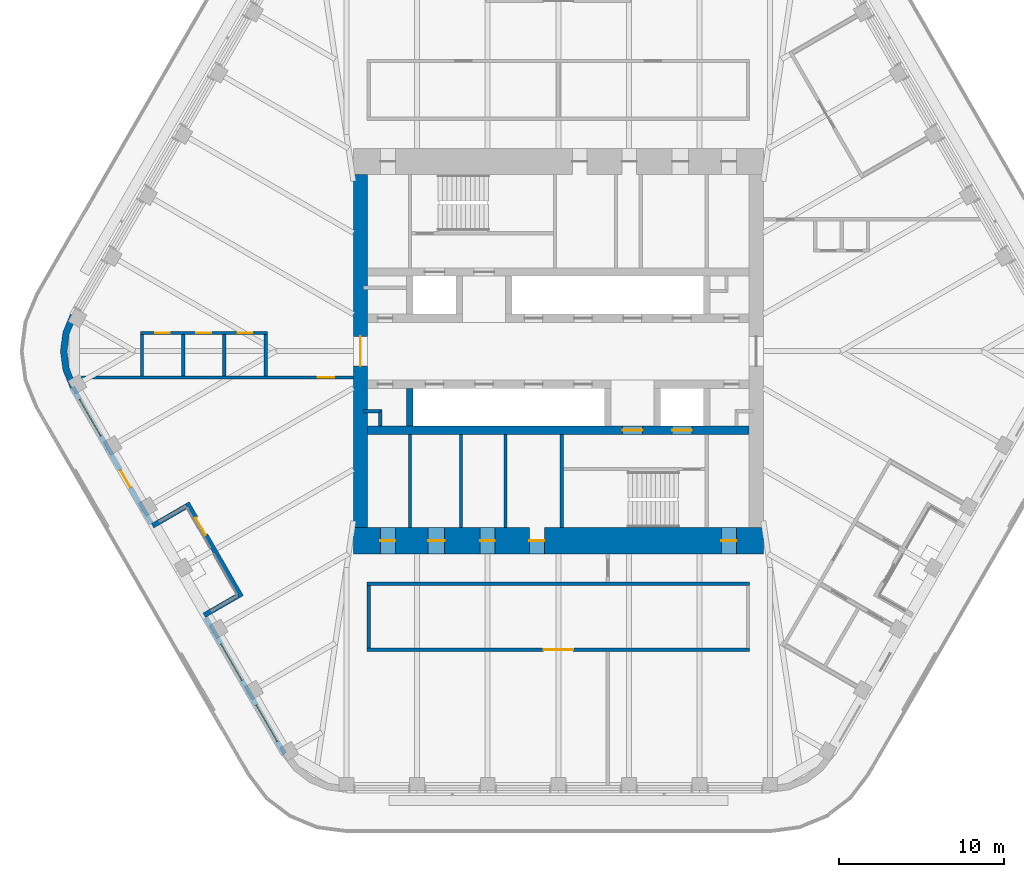
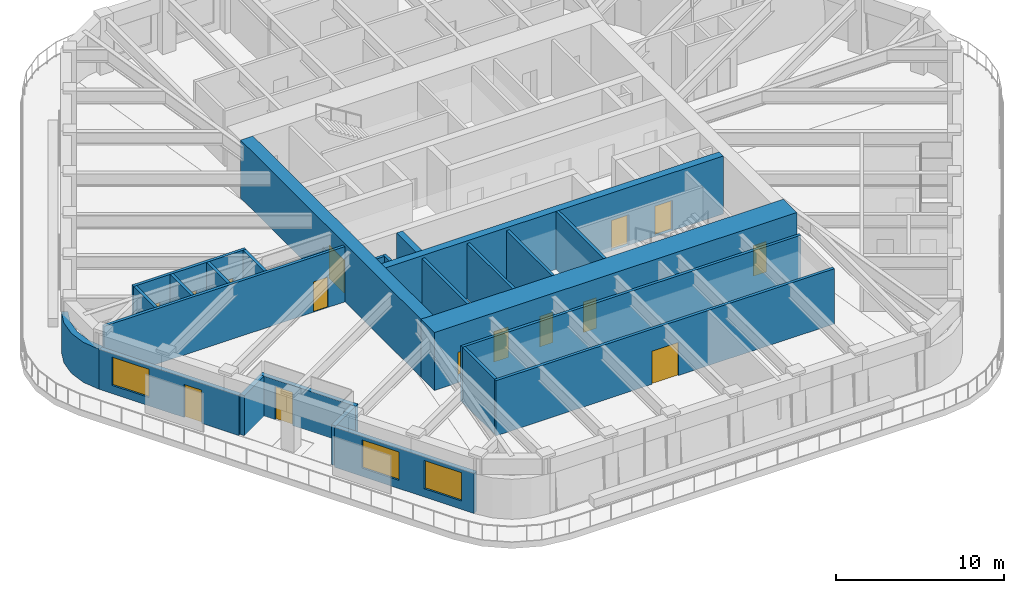
# One storey, part 13 of 19: 25 walls, 15 doors, 3 windows, 18 openings.
"""IFC4 building model written with IfcOpenShell, lengths in metres."""

from ifc_helpers import new_model, si_unit, direction, frame, frame_2d, origin, place, context, subcontext, project, spatial, polyline, rectangle, outline, extrude, material, layer, layer_set, type_object, element, fill, save


model = new_model("IFC4")

# Units and contexts
model_context = context("Model", 3, precision=1e-05, world=origin(), true_north=direction((0.0, 1.0)))
body_context = subcontext(model_context, "Body", "Model", "MODEL_VIEW")
ifc_project = project(units=[si_unit("LENGTHUNIT", "METRE"), si_unit("AREAUNIT", "SQUARE_METRE"), si_unit("VOLUMEUNIT", "CUBIC_METRE"), si_unit("PLANEANGLEUNIT", "RADIAN"), si_unit("MASSUNIT", "GRAM", prefix="KILO")], contexts=[model_context])

# Site, building, storey
site_placement = place(None, origin())
site = spatial("IfcSite", under=ifc_project, at=site_placement, CompositionType="ELEMENT")
building_placement = place(site_placement, origin())
building = spatial("IfcBuilding", under=site, at=building_placement, Name="Tarfa Lantern Tower", CompositionType="ELEMENT")
storey_placement = place(building_placement, frame((0.0, 0.0, 357.699951171875)))
storey = spatial("IfcBuildingStorey", under=building, at=storey_placement, Name="L81", CompositionType="ELEMENT", Elevation=357.699951171875)

# Wall, openings, door, window
ifc_material_1 = material(Name="Limestone cladding on blockwork", Category="masonry")
ifc_layer_1 = layer(ifc_material_1, 0.300048828125)
ifc_layer_set_1 = layer_set([ifc_layer_1], Name="EW1 STONE-CLAD WALL 300")
wall_type_1 = type_object("IfcWallType", Name="EW1 STONE-CLAD WALL 300", PredefinedType="SOLIDWALL", material=ifc_layer_set_1)
wall_1_placement = place(storey_placement, frame((-29.459228515625, -2.175048828125, 0.0), z_axis=(0.0, 0.0, 1.0), x_axis=(0.499996453679, -0.866027451244, 0.0)))
wall_1 = element("IfcWall", 1, at=wall_1_placement, inside=storey, type_object=wall_type_1, Name="Stone wall SW", PredefinedType="SOLIDWALL", context=body_context, shape_type="SweptSolid", body=[
    extrude(rectangle(XDim=9.56396484375, YDim=0.300048828125, at=frame_2d((4.781982421875, 0.0))), origin(), (0.0, 0.0, 1.0), 2.900146484375),
])
opening_1_placement = place(wall_1_placement, frame((0.865966796875, 0.0, 0.60009765625)))
opening_1 = element("IfcOpeningElement", 2, at=opening_1_placement, cuts=wall_1, Name="Opening W17", PredefinedType="OPENING", context=body_context, shape_type="SweptSolid", body=[
    extrude(rectangle(XDim=2.550048828125, YDim=2.050048828125, at=frame_2d((1.27490234375, 1.02490234375))), frame((0.0, 0.159912109375, 0.0), z_axis=(0.0, -1.0, 0.0), x_axis=(1.0, 0.0, 0.0)), (0.0, 0.0, 1.0), 0.320068359375),
])
opening_2_placement = place(wall_1_placement, frame((5.822998046875, 0.0, 0.0)))
opening_2 = element("IfcOpeningElement", 3, at=opening_2_placement, cuts=wall_1, Name="Opening D42", PredefinedType="OPENING", context=body_context, shape_type="SweptSolid", body=[
    extrude(rectangle(XDim=1.199951171875, YDim=2.39990234375, at=frame_2d((0.60009765625, 1.199951171875))), frame((0.0, 0.159912109375, 0.0), z_axis=(0.0, -1.0, 0.0), x_axis=(1.0, 0.0, 0.0)), (0.0, 0.0, 1.0), 0.320068359375),
])
ifc_material_2 = material(Name="Aluminium framed glazed door", Category="aluminium")
door_type_1 = type_object("IfcDoorType", Name="BE3 BALCONY DOOR 1200x2400", OperationType="SINGLE_SWING_RIGHT", PredefinedType="DOOR", material=ifc_material_2)
door_1_placement = place(opening_2_placement, origin())
door_1 = element("IfcDoor", 4, at=door_1_placement, inside=storey, type_object=door_type_1, Name="Balcony door SW", OperationType="SINGLE_SWING_LEFT", OverallHeight=2.39990234375, OverallWidth=1.199951171875, PredefinedType="DOOR", context=body_context, shape_type="SweptSolid", body=[
    extrude(rectangle(XDim=1.199951171875, YDim=2.39990234375, at=frame_2d((0.60009765625, 1.199951171875))), frame((0.0, 0.02490234375, 0.0), z_axis=(0.0, -1.0, 0.0), x_axis=(1.0, 0.0, 0.0)), (0.0, 0.0, 1.0), 0.050048828125),
])
fill(opening_2, door_1)
ifc_material_3 = material(Name="Aluminium frame, double glazed", Category="aluminium")
window_type = type_object("IfcWindowType", Name="W17 FULL-HEIGHT GLAZING 2550x2050", PartitioningType="SINGLE_PANEL", PredefinedType="WINDOW", material=ifc_material_3)
window_1_placement = place(opening_1_placement, origin())
window_1 = element("IfcWindow", 5, at=window_1_placement, inside=storey, type_object=window_type, Name="Window SW 1", OverallHeight=2.050048828125, OverallWidth=2.550048828125, PartitioningType="SINGLE_PANEL", PredefinedType="WINDOW", context=body_context, shape_type="SweptSolid", body=[
    extrude(rectangle(XDim=2.550048828125, YDim=2.050048828125, at=frame_2d((1.27490234375, 1.02490234375))), frame((0.0, 0.030029296875, 0.0), z_axis=(0.0, -1.0, 0.0), x_axis=(1.0, 0.0, 0.0)), (0.0, 0.0, 1.0), 0.06005859375),
])
fill(opening_1, window_1)

# Wall, openings, windows
wall_2_placement = place(storey_placement, frame((-21.395263671875, -16.142333984375, 0.0), z_axis=(0.0, 0.0, 1.0), x_axis=(0.499996453679, -0.866027451244, 0.0)))
wall_2 = element("IfcWall", 6, at=wall_2_placement, inside=storey, type_object=wall_type_1, Name="Stone wall SWB", PredefinedType="SOLIDWALL", context=body_context, shape_type="SweptSolid", body=[
    extrude(rectangle(XDim=9.56396484375, YDim=0.300048828125, at=frame_2d((4.781982421875, 0.0))), origin(), (0.0, 0.0, 1.0), 2.900146484375),
])
opening_3_placement = place(wall_2_placement, frame((1.865966796875, 0.0, 0.60009765625)))
opening_3 = element("IfcOpeningElement", 7, at=opening_3_placement, cuts=wall_2, Name="Opening W17", PredefinedType="OPENING", context=body_context, shape_type="SweptSolid", body=[
    extrude(rectangle(XDim=2.550048828125, YDim=2.050048828125, at=frame_2d((1.27490234375, 1.02490234375))), frame((0.0, 0.159912109375, 0.0), z_axis=(0.0, -1.0, 0.0), x_axis=(1.0, 0.0, 0.0)), (0.0, 0.0, 1.0), 0.320068359375),
])
opening_4_placement = place(wall_2_placement, frame((6.14794921875, 0.0, 0.60009765625)))
opening_4 = element("IfcOpeningElement", 8, at=opening_4_placement, cuts=wall_2, Name="Opening W17", PredefinedType="OPENING", context=body_context, shape_type="SweptSolid", body=[
    extrude(rectangle(XDim=2.550048828125, YDim=2.050048828125, at=frame_2d((1.27490234375, 1.02490234375))), frame((0.0, 0.159912109375, 0.0), z_axis=(0.0, -1.0, 0.0), x_axis=(1.0, 0.0, 0.0)), (0.0, 0.0, 1.0), 0.320068359375),
])
window_2_placement = place(opening_3_placement, origin())
window_2 = element("IfcWindow", 9, at=window_2_placement, inside=storey, type_object=window_type, Name="Window SWB 1", OverallHeight=2.050048828125, OverallWidth=2.550048828125, PartitioningType="SINGLE_PANEL", PredefinedType="WINDOW", context=body_context, shape_type="SweptSolid", body=[
    extrude(rectangle(XDim=2.550048828125, YDim=2.050048828125, at=frame_2d((1.27490234375, 1.02490234375))), frame((0.0, 0.030029296875, 0.0), z_axis=(0.0, -1.0, 0.0), x_axis=(1.0, 0.0, 0.0)), (0.0, 0.0, 1.0), 0.06005859375),
])
fill(opening_3, window_2)
window_3_placement = place(opening_4_placement, origin())
window_3 = element("IfcWindow", 10, at=window_3_placement, inside=storey, type_object=window_type, Name="Window SWB 2", OverallHeight=2.050048828125, OverallWidth=2.550048828125, PartitioningType="SINGLE_PANEL", PredefinedType="WINDOW", context=body_context, shape_type="SweptSolid", body=[
    extrude(rectangle(XDim=2.550048828125, YDim=2.050048828125, at=frame_2d((1.27490234375, 1.02490234375))), frame((0.0, 0.030029296875, 0.0), z_axis=(0.0, -1.0, 0.0), x_axis=(1.0, 0.0, 0.0)), (0.0, 0.0, 1.0), 0.06005859375),
])
fill(opening_4, window_3)

# Walls
for number, where, z_axis, x_axis, name in (
    (11, (-24.602294921875, -10.587646484375, 0.0), (0.0, 0.0, 1.0), (0.866016039709, 0.500016218704, 0.0), "Terrace return SW 1"),
    (12, (-21.47021484375, -16.012451171875, 0.0), (0.0, 0.0, 1.0), (0.866016039709, 0.500016218704, 0.0), "Terrace return SW 2"),
):
    element("IfcWall", number, at=place(storey_placement, frame(where, z_axis=z_axis, x_axis=x_axis)), inside=storey, type_object=wall_type_1, Name=name, PredefinedType="SOLIDWALL", context=body_context, shape_type="SweptSolid", body=[
        extrude(rectangle(XDim=2.35009765625, YDim=0.300048828125, at=frame_2d((1.175048828125, 0.0))), origin(), (0.0, 0.0, 1.0), 2.900146484375),
    ])

# Wall, opening, door
wall_3_placement = place(storey_placement, frame((-22.51220703125, -9.207763671875, 0.0), z_axis=(0.0, 0.0, 1.0), x_axis=(0.499999339774, -0.866025784966, 0.0)))
wall_3 = element("IfcWall", 13, at=wall_3_placement, inside=storey, type_object=wall_type_1, Name="Stone wall SWS", PredefinedType="SOLIDWALL", context=body_context, shape_type="SweptSolid", body=[
    extrude(rectangle(XDim=6.56396484375, YDim=0.300048828125, at=frame_2d((3.281982421875, 0.0))), origin(), (0.0, 0.0, 1.0), 2.900146484375),
])
opening_5_placement = place(wall_3_placement, frame((1.041015625, 0.0, 0.0)))
opening_5 = element("IfcOpeningElement", 14, at=opening_5_placement, cuts=wall_3, Name="Opening D43", PredefinedType="OPENING", context=body_context, shape_type="SweptSolid", body=[
    extrude(rectangle(XDim=1.199951171875, YDim=2.39990234375, at=frame_2d((0.60009765625, 1.199951171875))), frame((0.0, 0.159912109375, 0.0), z_axis=(0.0, -1.0, 0.0), x_axis=(1.0, 0.0, 0.0)), (0.0, 0.0, 1.0), 0.320068359375),
])
door_2_placement = place(opening_5_placement, origin())
door_2 = element("IfcDoor", 15, at=door_2_placement, inside=storey, type_object=door_type_1, Name="Balcony door SWS", OperationType="SINGLE_SWING_RIGHT", OverallHeight=2.39990234375, OverallWidth=1.199951171875, PredefinedType="DOOR", context=body_context, shape_type="SweptSolid", body=[
    extrude(rectangle(XDim=1.199951171875, YDim=2.39990234375, at=frame_2d((0.60009765625, 1.199951171875))), frame((0.0, 0.02490234375, 0.0), z_axis=(0.0, -1.0, 0.0), x_axis=(1.0, 0.0, 0.0)), (0.0, 0.0, 1.0), 0.050048828125),
])
fill(opening_5, door_2)

# Walls
ifc_layer_2 = layer(ifc_material_1, 0.39990234375)
ifc_layer_set_2 = layer_set([ifc_layer_2], Name="EW2 CURVED STONE CORNER 400")
wall_type_2 = type_object("IfcWallType", Name="EW2 CURVED STONE CORNER 400", PredefinedType="SOLIDWALL", material=ifc_layer_set_2)
wall_4_placement = place(storey_placement, origin())
element("IfcWall", 16, at=wall_4_placement, inside=storey, type_object=wall_type_2, Name="Stone corner NW-SW", PredefinedType="SOLIDWALL", context=body_context, shape_type="SweptSolid", body=[
    extrude(outline(polyline([(-29.589111328125, 2.25), (-30.038818359375, 1.164794921875), (-30.192138671875, 0.0), (-30.038818359375, -1.164794921875), (-29.589111328125, -2.25), (-29.24267578125, -2.050048828125), (-29.65234375, -1.061279296875), (-29.7919921875, 0.0), (-29.65234375, 1.061279296875), (-29.24267578125, 2.050048828125), (-29.589111328125, 2.25)])), origin(), (0.0, 0.0, 1.0), 2.900146484375),
])
ifc_material_4 = material(Name="Concrete blockwork", Category="masonry")
ifc_layer_3 = layer(ifc_material_4, 0.199951171875)
ifc_layer_set_3 = layer_set([ifc_layer_3], Name="IW1 BLOCKWORK PARTITION 200 EI 120")
wall_type_3 = type_object("IfcWallType", Name="IW1 BLOCKWORK PARTITION 200 EI 120", PredefinedType="PARTITIONING", material=ifc_layer_set_3)
for number, where, z_axis, x_axis, name in (
    (17, (-9.0, -5.050048828125, 0.0), (0.0, 0.0, 1.0), (0.0, -1.0, 0.0), "Core partition"),
    (18, (-3.199951171875, -5.050048828125, 0.0), (0.0, 0.0, 1.0), (0.0, -1.0, 0.0), "Core partition"),
    (19, (-5.89990234375, -5.050048828125, 0.0), (0.0, 0.0, 1.0), (0.0, -1.0, 0.0), "Core partition"),
):
    element("IfcWall", number, at=place(storey_placement, frame(where, z_axis=z_axis, x_axis=x_axis)), inside=storey, type_object=wall_type_3, Name=name, PredefinedType="PARTITIONING", context=body_context, shape_type="SweptSolid", body=[
        extrude(rectangle(XDim=5.64990234375, YDim=0.199951171875, at=frame_2d((2.824951171875, 0.0))), origin(), (0.0, 0.0, 1.0), 4.0),
    ])
for number, where, z_axis, x_axis, name in (
    (20, (-10.800048828125, -3.64990234375, 0.0), (0.0, 0.0, 1.0), (-1.0, 0.0, 0.0), "Core partition"),
    (21, (-10.800048828125, -3.550048828125, 0.0), (0.0, 0.0, 1.0), (0.0, -1.0, 0.0), "Core partition"),
):
    element("IfcWall", number, at=place(storey_placement, frame(where, z_axis=z_axis, x_axis=x_axis)), inside=storey, type_object=wall_type_3, Name=name, PredefinedType="PARTITIONING", context=body_context, shape_type="SweptSolid", body=[
        extrude(rectangle(XDim=1.0, YDim=0.199951171875, at=frame_2d((0.5, 0.0))), origin(), (0.0, 0.0, 1.0), 4.0),
    ])
ifc_material_5 = material(Name="Gypsum board on steel studs", Category="steel")
ifc_layer_4 = layer(ifc_material_5, 0.2099609375)
ifc_layer_set_4 = layer_set([ifc_layer_4], Name="IW2 ACOUSTIC PARTITION 200")
wall_type_4 = type_object("IfcWallType", Name="IW2 ACOUSTIC PARTITION 200", PredefinedType="PARTITIONING", material=ifc_layer_set_4)
wall_5_placement = place(storey_placement, frame((11.60009765625, -14.10009765625, 0.0), z_axis=(0.0, 0.0, 1.0), x_axis=(-1.0, 0.0, 0.0)))
element("IfcWall", 22, at=wall_5_placement, inside=storey, type_object=wall_type_4, Name="Partition", PredefinedType="PARTITIONING", context=body_context, shape_type="SweptSolid", body=[
    extrude(rectangle(XDim=23.2001953125, YDim=0.199951171875, at=frame_2d((11.60009765625, 0.0))), origin(), (0.0, 0.0, 1.0), 4.0),
])

# Wall, opening, door
wall_6_placement = place(storey_placement, frame((11.60009765625, -18.10009765625, 0.0), z_axis=(0.0, 0.0, 1.0), x_axis=(-1.0, 0.0, 0.0)))
wall_6 = element("IfcWall", 23, at=wall_6_placement, inside=storey, type_object=wall_type_4, Name="Partition", PredefinedType="PARTITIONING", context=body_context, shape_type="SweptSolid", body=[
    extrude(rectangle(XDim=23.2001953125, YDim=0.199951171875, at=frame_2d((11.60009765625, 0.0))), origin(), (0.0, 0.0, 1.0), 4.0),
])
opening_6_placement = place(wall_6_placement, frame((10.699951171875, 0.0, 0.0)))
opening_6 = element("IfcOpeningElement", 24, at=opening_6_placement, cuts=wall_6, Name="Opening D29", PredefinedType="OPENING", context=body_context, shape_type="SweptSolid", body=[
    extrude(rectangle(XDim=1.800048828125, YDim=2.39990234375, at=frame_2d((0.89990234375, 1.199951171875))), frame((0.0, 0.10986328125, 0.0), z_axis=(0.0, -1.0, 0.0), x_axis=(1.0, 0.0, 0.0)), (0.0, 0.0, 1.0), 0.219970703125),
])
ifc_material_6 = material(Name="Timber door", Category="wood")
door_type_2 = type_object("IfcDoorType", Name="DR2 ROOM DOOR 1800x2400", OperationType="DOUBLE_DOOR_SINGLE_SWING", PredefinedType="DOOR", material=ifc_material_6)
door_3_placement = place(opening_6_placement, frame((1.800048828125, 0.0, 0.0), z_axis=(0.0, 0.0, 1.0), x_axis=(-1.0, 0.0, 0.0)))
door_3 = element("IfcDoor", 25, at=door_3_placement, inside=storey, type_object=door_type_2, Name="Meeting room door", OperationType="DOUBLE_DOOR_SINGLE_SWING", OverallHeight=2.39990234375, OverallWidth=1.800048828125, PredefinedType="DOOR", context=body_context, shape_type="SweptSolid", body=[
    extrude(rectangle(XDim=1.800048828125, YDim=2.39990234375, at=frame_2d((0.89990234375, 1.199951171875))), frame((0.0, 0.02490234375, 0.0), z_axis=(0.0, -1.0, 0.0), x_axis=(1.0, 0.0, 0.0)), (0.0, 0.0, 1.0), 0.050048828125),
])
fill(opening_6, door_3)

# Wall
wall_7_placement = place(storey_placement, frame((-11.5, -14.199951171875, 0.0), z_axis=(0.0, 0.0, 1.0), x_axis=(0.0, -1.0, 0.0)))
element("IfcWall", 26, at=wall_7_placement, inside=storey, type_object=wall_type_4, Name="Partition", PredefinedType="PARTITIONING", context=body_context, shape_type="SweptSolid", body=[
    extrude(rectangle(XDim=3.800048828125, YDim=0.199951171875, at=frame_2d((1.89990234375, 0.0))), origin(), (0.0, 0.0, 1.0), 4.0),
])

# Wall, opening, door
wall_8_placement = place(storey_placement, frame((-12.425048828125, -1.60009765625, 0.0), z_axis=(0.0, 0.0, 1.0), x_axis=(-1.0, 0.0, 0.0)))
wall_8 = element("IfcWall", 27, at=wall_8_placement, inside=storey, type_object=wall_type_4, Name="Partition", PredefinedType="PARTITIONING", context=body_context, shape_type="SweptSolid", body=[
    extrude(rectangle(XDim=16.500244140625, YDim=0.199951171875, at=frame_2d((8.25, 0.0))), origin(), (0.0, 0.0, 1.0), 4.0),
])
opening_7_placement = place(wall_8_placement, frame((1.150146484375, 0.0, 0.0)))
opening_7 = element("IfcOpeningElement", 28, at=opening_7_placement, cuts=wall_8, Name="Opening D37", PredefinedType="OPENING", context=body_context, shape_type="SweptSolid", body=[
    extrude(rectangle(XDim=1.0, YDim=2.199951171875, at=frame_2d((0.5, 1.10009765625))), frame((0.0, 0.10986328125, 0.0), z_axis=(0.0, -1.0, 0.0), x_axis=(1.0, 0.0, 0.0)), (0.0, 0.0, 1.0), 0.219970703125),
])
door_type_3 = type_object("IfcDoorType", Name="DR1 ROOM DOOR 1000x2200", OperationType="SINGLE_SWING_LEFT", PredefinedType="DOOR", material=ifc_material_6)
door_4_placement = place(opening_7_placement, origin())
door_4 = element("IfcDoor", 29, at=door_4_placement, inside=storey, type_object=door_type_3, Name="Zone door", OperationType="SINGLE_SWING_RIGHT", OverallHeight=2.199951171875, OverallWidth=1.0, PredefinedType="DOOR", context=body_context, shape_type="SweptSolid", body=[
    extrude(rectangle(XDim=1.0, YDim=2.199951171875, at=frame_2d((0.5, 1.10009765625))), frame((0.0, 0.02490234375, 0.0), z_axis=(0.0, -1.0, 0.0), x_axis=(1.0, 0.0, 0.0)), (0.0, 0.0, 1.0), 0.050048828125),
])
fill(opening_7, door_4)

# Wall, openings, doors
wall_9_placement = place(storey_placement, frame((-17.650146484375, 1.10009765625, 0.0), z_axis=(0.0, 0.0, 1.0), x_axis=(-1.0, 0.0, 0.0)))
wall_9 = element("IfcWall", 30, at=wall_9_placement, inside=storey, type_object=wall_type_4, Name="Partition", PredefinedType="PARTITIONING", context=body_context, shape_type="SweptSolid", body=[
    extrude(rectangle(XDim=7.699951171875, YDim=0.199951171875, at=frame_2d((3.85009765625, 0.0))), origin(), (0.0, 0.0, 1.0), 4.0),
])
opening_8_placement = place(wall_9_placement, frame((0.89990234375, 0.0, 0.0)))
opening_8 = element("IfcOpeningElement", 31, at=opening_8_placement, cuts=wall_9, Name="Opening D30", PredefinedType="OPENING", context=body_context, shape_type="SweptSolid", body=[
    extrude(rectangle(XDim=0.89990234375, YDim=2.199951171875, at=frame_2d((0.449951171875, 1.10009765625))), frame((0.0, 0.10986328125, 0.0), z_axis=(0.0, -1.0, 0.0), x_axis=(1.0, 0.0, 0.0)), (0.0, 0.0, 1.0), 0.219970703125),
])
opening_9_placement = place(wall_9_placement, frame((3.39990234375, 0.0, 0.0)))
opening_9 = element("IfcOpeningElement", 32, at=opening_9_placement, cuts=wall_9, Name="Opening D31", PredefinedType="OPENING", context=body_context, shape_type="SweptSolid", body=[
    extrude(rectangle(XDim=0.89990234375, YDim=2.199951171875, at=frame_2d((0.449951171875, 1.10009765625))), frame((0.0, 0.10986328125, 0.0), z_axis=(0.0, -1.0, 0.0), x_axis=(1.0, 0.0, 0.0)), (0.0, 0.0, 1.0), 0.219970703125),
])
opening_10_placement = place(wall_9_placement, frame((5.89990234375, 0.0, 0.0)))
opening_10 = element("IfcOpeningElement", 33, at=opening_10_placement, cuts=wall_9, Name="Opening D32", PredefinedType="OPENING", context=body_context, shape_type="SweptSolid", body=[
    extrude(rectangle(XDim=0.89990234375, YDim=2.199951171875, at=frame_2d((0.449951171875, 1.10009765625))), frame((0.0, 0.10986328125, 0.0), z_axis=(0.0, -1.0, 0.0), x_axis=(1.0, 0.0, 0.0)), (0.0, 0.0, 1.0), 0.219970703125),
])
door_type_4 = type_object("IfcDoorType", Name="DR3 ROOM DOOR 900x2200", OperationType="SINGLE_SWING_LEFT", PredefinedType="DOOR", material=ifc_material_6)
door_5_placement = place(opening_8_placement, origin())
door_5 = element("IfcDoor", 34, at=door_5_placement, inside=storey, type_object=door_type_4, Name="Focus room door", OperationType="SINGLE_SWING_RIGHT", OverallHeight=2.199951171875, OverallWidth=0.89990234375, PredefinedType="DOOR", context=body_context, shape_type="SweptSolid", body=[
    extrude(rectangle(XDim=0.89990234375, YDim=2.199951171875, at=frame_2d((0.449951171875, 1.10009765625))), frame((0.0, 0.02490234375, 0.0), z_axis=(0.0, -1.0, 0.0), x_axis=(1.0, 0.0, 0.0)), (0.0, 0.0, 1.0), 0.050048828125),
])
fill(opening_8, door_5)
door_6_placement = place(opening_9_placement, origin())
door_6 = element("IfcDoor", 35, at=door_6_placement, inside=storey, type_object=door_type_4, Name="Focus room door", OperationType="SINGLE_SWING_LEFT", OverallHeight=2.199951171875, OverallWidth=0.89990234375, PredefinedType="DOOR", context=body_context, shape_type="SweptSolid", body=[
    extrude(rectangle(XDim=0.89990234375, YDim=2.199951171875, at=frame_2d((0.449951171875, 1.10009765625))), frame((0.0, 0.02490234375, 0.0), z_axis=(0.0, -1.0, 0.0), x_axis=(1.0, 0.0, 0.0)), (0.0, 0.0, 1.0), 0.050048828125),
])
fill(opening_9, door_6)
door_7_placement = place(opening_10_placement, origin())
door_7 = element("IfcDoor", 36, at=door_7_placement, inside=storey, type_object=door_type_4, Name="Focus room door", OperationType="SINGLE_SWING_LEFT", OverallHeight=2.199951171875, OverallWidth=0.89990234375, PredefinedType="DOOR", context=body_context, shape_type="SweptSolid", body=[
    extrude(rectangle(XDim=0.89990234375, YDim=2.199951171875, at=frame_2d((0.449951171875, 1.10009765625))), frame((0.0, 0.02490234375, 0.0), z_axis=(0.0, -1.0, 0.0), x_axis=(1.0, 0.0, 0.0)), (0.0, 0.0, 1.0), 0.050048828125),
])
fill(opening_10, door_7)

# Walls
for number, where, z_axis, x_axis, name in (
    (37, (-17.750244140625, -1.5, 0.0), (0.0, 0.0, 1.0), (0.0, 1.0, 0.0), "Partition"),
    (38, (-20.250244140625, -1.5, 0.0), (0.0, 0.0, 1.0), (0.0, 1.0, 0.0), "Partition"),
    (39, (-22.750244140625, -1.5, 0.0), (0.0, 0.0, 1.0), (0.0, 1.0, 0.0), "Partition"),
    (40, (-25.250244140625, -1.5, 0.0), (0.0, 0.0, 1.0), (0.0, 1.0, 0.0), "Partition"),
):
    element("IfcWall", number, at=place(storey_placement, frame(where, z_axis=z_axis, x_axis=x_axis)), inside=storey, type_object=wall_type_4, Name=name, PredefinedType="PARTITIONING", context=body_context, shape_type="SweptSolid", body=[
        extrude(rectangle(XDim=2.5, YDim=0.199951171875, at=frame_2d((1.25, 0.0))), origin(), (0.0, 0.0, 1.0), 4.0),
    ])
ifc_material_7 = material(Name="Concrete C80/95", Category="concrete")
ifc_layer_5 = layer(ifc_material_7, 0.199951171875)
ifc_layer_set_5 = layer_set([ifc_layer_5], Name="SW12 CORE WALL 200")
wall_type_5 = type_object("IfcWallType", Name="SW12 CORE WALL 200", PredefinedType="SHEAR", material=ifc_layer_set_5)
wall_10_placement = place(storey_placement, frame((0.199951171875, -5.050048828125, 0.0), z_axis=(0.0, 0.0, 1.0), x_axis=(0.0, -1.0, 0.0)))
element("IfcWall", 41, at=wall_10_placement, inside=storey, type_object=wall_type_5, Name="Core wall stair shaft S", PredefinedType="SHEAR", context=body_context, shape_type="SweptSolid", body=[
    extrude(rectangle(XDim=5.64990234375, YDim=0.199951171875, at=frame_2d((2.824951171875, 0.0))), origin(), (0.0, 0.0, 1.0), 4.199951171875),
])

# Wall, opening, door
ifc_layer_6 = layer(ifc_material_7, 0.85009765625)
ifc_layer_set_6 = layer_set([ifc_layer_6], Name="SW3 CORE WALL 850")
wall_type_6 = type_object("IfcWallType", Name="SW3 CORE WALL 850", PredefinedType="SHEAR", material=ifc_layer_set_6)
wall_11_placement = place(storey_placement, frame((-12.0, 10.699951171875, 0.0), z_axis=(0.0, 0.0, 1.0), x_axis=(0.0, -1.0, 0.0)))
wall_11 = element("IfcWall", 42, at=wall_11_placement, inside=storey, type_object=wall_type_6, Name="Core wall W", PredefinedType="SHEAR", context=body_context, shape_type="SweptSolid", body=[
    extrude(rectangle(XDim=21.39990234375, YDim=0.85009765625, at=frame_2d((10.699951171875, 0.0))), origin(), (0.0, 0.0, 1.0), 4.199951171875),
])
opening_11_placement = place(wall_11_placement, frame((9.800048828125, 0.0, 0.0)))
opening_11 = element("IfcOpeningElement", 43, at=opening_11_placement, cuts=wall_11, Name="Opening D08", PredefinedType="OPENING", context=body_context, shape_type="SweptSolid", body=[
    extrude(rectangle(XDim=1.800048828125, YDim=2.39990234375, at=frame_2d((0.89990234375, 1.199951171875))), frame((0.0, 0.43505859375, 0.0), z_axis=(0.0, -1.0, 0.0), x_axis=(1.0, 0.0, 0.0)), (0.0, 0.0, 1.0), 0.8701171875),
])
ifc_material_8 = material(Name="Steel fire door", Category="steel")
door_type_5 = type_object("IfcDoorType", Name="DL1 LOBBY DOOR 1800x2400", OperationType="DOUBLE_DOOR_SINGLE_SWING", PredefinedType="DOOR", material=ifc_material_8)
door_8_placement = place(opening_11_placement, frame((1.800048828125, 0.0, 0.0), z_axis=(0.0, 0.0, 1.0), x_axis=(-1.0, 0.0, 0.0)))
door_8 = element("IfcDoor", 44, at=door_8_placement, inside=storey, type_object=door_type_5, Name="Lift lobby door", OperationType="DOUBLE_DOOR_SINGLE_SWING", OverallHeight=2.39990234375, OverallWidth=1.800048828125, PredefinedType="DOOR", context=body_context, shape_type="SweptSolid", body=[
    extrude(rectangle(XDim=1.800048828125, YDim=2.39990234375, at=frame_2d((0.89990234375, 1.199951171875))), frame((0.0, 0.02490234375, 0.0), z_axis=(0.0, -1.0, 0.0), x_axis=(1.0, 0.0, 0.0)), (0.0, 0.0, 1.0), 0.050048828125),
])
fill(opening_11, door_8)

# Wall, openings, doors
ifc_layer_7 = layer(ifc_material_7, 0.5)
ifc_layer_set_7 = layer_set([ifc_layer_7], Name="SW5 CORE WALL 500")
wall_type_7 = type_object("IfcWallType", Name="SW5 CORE WALL 500", PredefinedType="SHEAR", material=ifc_layer_set_7)
wall_12_placement = place(storey_placement, frame((11.574951171875, -4.800048828125, 0.0), z_axis=(0.0, 0.0, 1.0), x_axis=(-1.0, 0.0, 0.0)))
wall_12 = element("IfcWall", 45, at=wall_12_placement, inside=storey, type_object=wall_type_7, Name="Core wall rear S", PredefinedType="SHEAR", context=body_context, shape_type="SweptSolid", body=[
    extrude(rectangle(XDim=23.14990234375, YDim=0.5, at=frame_2d((11.574951171875, 0.0))), origin(), (0.0, 0.0, 1.0), 4.199951171875),
])
opening_12_placement = place(wall_12_placement, frame((6.47509765625, 0.0, 0.0)))
opening_12 = element("IfcOpeningElement", 46, at=opening_12_placement, cuts=wall_12, Name="Opening D06", PredefinedType="OPENING", context=body_context, shape_type="SweptSolid", body=[
    extrude(rectangle(XDim=1.199951171875, YDim=2.199951171875, at=frame_2d((0.60009765625, 1.10009765625))), frame((0.0, 0.260009765625, 0.0), z_axis=(0.0, -1.0, 0.0), x_axis=(1.0, 0.0, 0.0)), (0.0, 0.0, 1.0), 0.52001953125),
])
opening_13_placement = place(wall_12_placement, frame((3.47509765625, 0.0, 0.0)))
opening_13 = element("IfcOpeningElement", 47, at=opening_13_placement, cuts=wall_12, Name="Opening LD02", PredefinedType="OPENING", context=body_context, shape_type="SweptSolid", body=[
    extrude(rectangle(XDim=1.199951171875, YDim=2.199951171875, at=frame_2d((0.60009765625, 1.10009765625))), frame((0.0, 0.260009765625, 0.0), z_axis=(0.0, -1.0, 0.0), x_axis=(1.0, 0.0, 0.0)), (0.0, 0.0, 1.0), 0.52001953125),
])
door_type_6 = type_object("IfcDoorType", Name="DF1 FIREFIGHTING LOBBY DOOR 1200x2200", OperationType="SINGLE_SWING_LEFT", PredefinedType="DOOR", material=ifc_material_8)
door_9_placement = place(opening_12_placement, origin())
door_9 = element("IfcDoor", 48, at=door_9_placement, inside=storey, type_object=door_type_6, Name="Firefighting lobby door", OperationType="SINGLE_SWING_LEFT", OverallHeight=2.199951171875, OverallWidth=1.199951171875, PredefinedType="DOOR", context=body_context, shape_type="SweptSolid", body=[
    extrude(rectangle(XDim=1.199951171875, YDim=2.199951171875, at=frame_2d((0.60009765625, 1.10009765625))), frame((0.0, 0.02490234375, 0.0), z_axis=(0.0, -1.0, 0.0), x_axis=(1.0, 0.0, 0.0)), (0.0, 0.0, 1.0), 0.050048828125),
])
fill(opening_12, door_9)
ifc_material_9 = material(Name="Stainless steel lift door", Category="steel")
door_type_7 = type_object("IfcDoorType", Name="LD1 LIFT LANDING DOOR 1200x2200", OperationType="SLIDING_TO_LEFT", PredefinedType="DOOR", material=ifc_material_9)
door_10_placement = place(opening_13_placement, origin())
door_10 = element("IfcDoor", 49, at=door_10_placement, inside=storey, type_object=door_type_7, Name="Landing door FL2", OperationType="SLIDING_TO_LEFT", OverallHeight=2.199951171875, OverallWidth=1.199951171875, PredefinedType="DOOR", context=body_context, shape_type="SweptSolid", body=[
    extrude(rectangle(XDim=1.199951171875, YDim=2.199951171875, at=frame_2d((0.60009765625, 1.10009765625))), frame((0.0, 0.02490234375, 0.0), z_axis=(0.0, -1.0, 0.0), x_axis=(1.0, 0.0, 0.0)), (0.0, 0.0, 1.0), 0.050048828125),
])
fill(opening_13, door_10)

# Wall
ifc_layer_8 = layer(ifc_material_7, 0.39990234375)
ifc_layer_set_8 = layer_set([ifc_layer_8], Name="SW6 CORE WALL 400")
wall_type_8 = type_object("IfcWallType", Name="SW6 CORE WALL 400", PredefinedType="SHEAR", material=ifc_layer_set_8)
wall_13_placement = place(storey_placement, frame((-9.0, -2.25, 0.0), z_axis=(0.0, 0.0, 1.0), x_axis=(0.0, -1.0, 0.0)))
element("IfcWall", 50, at=wall_13_placement, inside=storey, type_object=wall_type_8, Name="Core wall divider S", PredefinedType="SHEAR", context=body_context, shape_type="SweptSolid", body=[
    extrude(rectangle(XDim=2.300048828125, YDim=0.39990234375, at=frame_2d((1.14990234375, 0.0))), origin(), (0.0, 0.0, 1.0), 4.199951171875),
])

# Wall, openings, doors
ifc_layer_9 = layer(ifc_material_7, 1.60009765625)
ifc_layer_set_9 = layer_set([ifc_layer_9], Name="SW7 CORE WALL 1600")
wall_type_9 = type_object("IfcWallType", Name="SW7 CORE WALL 1600", PredefinedType="SHEAR", material=ifc_layer_set_9)
wall_14_placement = place(storey_placement, frame((12.425048828125, -11.5, 0.0), z_axis=(0.0, 0.0, 1.0), x_axis=(-1.0, 0.0, 0.0)))
wall_14 = element("IfcWall", 51, at=wall_14_placement, inside=storey, type_object=wall_type_9, Name="Core wall S", PredefinedType="SHEAR", context=body_context, shape_type="SweptSolid", body=[
    extrude(rectangle(XDim=24.85009765625, YDim=1.60009765625, at=frame_2d((12.425048828125, 0.0))), origin(), (0.0, 0.0, 1.0), 4.199951171875),
])
opening_14_placement = place(wall_14_placement, frame((13.27490234375, 0.0, 0.0)))
opening_14 = element("IfcOpeningElement", 52, at=opening_14_placement, cuts=wall_14, Name="Opening D14", PredefinedType="OPENING", context=body_context, shape_type="SweptSolid", body=[
    extrude(rectangle(XDim=0.89990234375, YDim=2.199951171875, at=frame_2d((0.449951171875, 1.10009765625))), frame((0.0, 0.81005859375, 0.0), z_axis=(0.0, -1.0, 0.0), x_axis=(1.0, 0.0, 0.0)), (0.0, 0.0, 1.0), 1.6201171875),
])
opening_15_placement = place(wall_14_placement, frame((16.27490234375, 0.0, 0.0)))
opening_15 = element("IfcOpeningElement", 53, at=opening_15_placement, cuts=wall_14, Name="Opening D16", PredefinedType="OPENING", context=body_context, shape_type="SweptSolid", body=[
    extrude(rectangle(XDim=0.89990234375, YDim=2.199951171875, at=frame_2d((0.449951171875, 1.10009765625))), frame((0.0, 0.81005859375, 0.0), z_axis=(0.0, -1.0, 0.0), x_axis=(1.0, 0.0, 0.0)), (0.0, 0.0, 1.0), 1.6201171875),
])
opening_16_placement = place(wall_14_placement, frame((19.324951171875, 0.0, 0.0)))
opening_16 = element("IfcOpeningElement", 54, at=opening_16_placement, cuts=wall_14, Name="Opening D18", PredefinedType="OPENING", context=body_context, shape_type="SweptSolid", body=[
    extrude(rectangle(XDim=1.0, YDim=2.199951171875, at=frame_2d((0.5, 1.10009765625))), frame((0.0, 0.81005859375, 0.0), z_axis=(0.0, -1.0, 0.0), x_axis=(1.0, 0.0, 0.0)), (0.0, 0.0, 1.0), 1.6201171875),
])
opening_17_placement = place(wall_14_placement, frame((1.637451171875, 0.0, 0.0)))
opening_17 = element("IfcOpeningElement", 55, at=opening_17_placement, cuts=wall_14, Name="Opening D04", PredefinedType="OPENING", context=body_context, shape_type="SweptSolid", body=[
    extrude(rectangle(XDim=0.89990234375, YDim=2.199951171875, at=frame_2d((0.449951171875, 1.10009765625))), frame((0.0, 0.81005859375, 0.0), z_axis=(0.0, -1.0, 0.0), x_axis=(1.0, 0.0, 0.0)), (0.0, 0.0, 1.0), 1.6201171875),
])
opening_18_placement = place(wall_14_placement, frame((22.3125, 0.0, 0.0)))
opening_18 = element("IfcOpeningElement", 56, at=opening_18_placement, cuts=wall_14, Name="Opening D02", PredefinedType="OPENING", context=body_context, shape_type="SweptSolid", body=[
    extrude(rectangle(XDim=0.89990234375, YDim=2.199951171875, at=frame_2d((0.449951171875, 1.10009765625))), frame((0.0, 0.81005859375, 0.0), z_axis=(0.0, -1.0, 0.0), x_axis=(1.0, 0.0, 0.0)), (0.0, 0.0, 1.0), 1.6201171875),
])
door_type_8 = type_object("IfcDoorType", Name="DF3 CORE ROOM DOOR 900x2200", OperationType="SINGLE_SWING_LEFT", PredefinedType="DOOR", material=ifc_material_8)
door_11_placement = place(opening_14_placement, frame((0.89990234375, 0.0, 0.0), z_axis=(0.0, 0.0, 1.0), x_axis=(-1.0, 0.0, 0.0)))
door_11 = element("IfcDoor", 57, at=door_11_placement, inside=storey, type_object=door_type_8, Name="Core door", OperationType="SINGLE_SWING_LEFT", OverallHeight=2.199951171875, OverallWidth=0.89990234375, PredefinedType="DOOR", context=body_context, shape_type="SweptSolid", body=[
    extrude(rectangle(XDim=0.89990234375, YDim=2.199951171875, at=frame_2d((0.449951171875, 1.10009765625))), frame((0.0, 0.02490234375, 0.0), z_axis=(0.0, -1.0, 0.0), x_axis=(1.0, 0.0, 0.0)), (0.0, 0.0, 1.0), 0.050048828125),
])
fill(opening_14, door_11)
door_12_placement = place(opening_15_placement, frame((0.89990234375, 0.0, 0.0), z_axis=(0.0, 0.0, 1.0), x_axis=(-1.0, 0.0, 0.0)))
door_12 = element("IfcDoor", 58, at=door_12_placement, inside=storey, type_object=door_type_8, Name="Core door", OperationType="SINGLE_SWING_LEFT", OverallHeight=2.199951171875, OverallWidth=0.89990234375, PredefinedType="DOOR", context=body_context, shape_type="SweptSolid", body=[
    extrude(rectangle(XDim=0.89990234375, YDim=2.199951171875, at=frame_2d((0.449951171875, 1.10009765625))), frame((0.0, 0.02490234375, 0.0), z_axis=(0.0, -1.0, 0.0), x_axis=(1.0, 0.0, 0.0)), (0.0, 0.0, 1.0), 0.050048828125),
])
fill(opening_15, door_12)
door_type_9 = type_object("IfcDoorType", Name="DF4 CORE ROOM DOOR 1000x2200", OperationType="SINGLE_SWING_LEFT", PredefinedType="DOOR", material=ifc_material_8)
door_13_placement = place(opening_16_placement, frame((1.0, 0.0, 0.0), z_axis=(0.0, 0.0, 1.0), x_axis=(-1.0, 0.0, 0.0)))
door_13 = element("IfcDoor", 59, at=door_13_placement, inside=storey, type_object=door_type_9, Name="Core door", OperationType="SINGLE_SWING_LEFT", OverallHeight=2.199951171875, OverallWidth=1.0, PredefinedType="DOOR", context=body_context, shape_type="SweptSolid", body=[
    extrude(rectangle(XDim=1.0, YDim=2.199951171875, at=frame_2d((0.5, 1.10009765625))), frame((0.0, 0.02490234375, 0.0), z_axis=(0.0, -1.0, 0.0), x_axis=(1.0, 0.0, 0.0)), (0.0, 0.0, 1.0), 0.050048828125),
])
fill(opening_16, door_13)
door_type_10 = type_object("IfcDoorType", Name="DF5 RISER DOOR 900x2200", OperationType="SINGLE_SWING_LEFT", PredefinedType="DOOR", material=ifc_material_8)
door_14_placement = place(opening_17_placement, frame((0.89990234375, 0.0, 0.0), z_axis=(0.0, 0.0, 1.0), x_axis=(-1.0, 0.0, 0.0)))
door_14 = element("IfcDoor", 60, at=door_14_placement, inside=storey, type_object=door_type_10, Name="Riser door", OperationType="SINGLE_SWING_LEFT", OverallHeight=2.199951171875, OverallWidth=0.89990234375, PredefinedType="DOOR", context=body_context, shape_type="SweptSolid", body=[
    extrude(rectangle(XDim=0.89990234375, YDim=2.199951171875, at=frame_2d((0.449951171875, 1.10009765625))), frame((0.0, 0.02490234375, 0.0), z_axis=(0.0, -1.0, 0.0), x_axis=(1.0, 0.0, 0.0)), (0.0, 0.0, 1.0), 0.050048828125),
])
fill(opening_17, door_14)
door_15_placement = place(opening_18_placement, frame((0.89990234375, 0.0, 0.0), z_axis=(0.0, 0.0, 1.0), x_axis=(-1.0, 0.0, 0.0)))
door_15 = element("IfcDoor", 61, at=door_15_placement, inside=storey, type_object=door_type_10, Name="Riser door", OperationType="SINGLE_SWING_RIGHT", OverallHeight=2.199951171875, OverallWidth=0.89990234375, PredefinedType="DOOR", context=body_context, shape_type="SweptSolid", body=[
    extrude(rectangle(XDim=0.89990234375, YDim=2.199951171875, at=frame_2d((0.449951171875, 1.10009765625))), frame((0.0, 0.02490234375, 0.0), z_axis=(0.0, -1.0, 0.0), x_axis=(1.0, 0.0, 0.0)), (0.0, 0.0, 1.0), 0.050048828125),
])
fill(opening_18, door_15)

save(model, "model.ifc")
